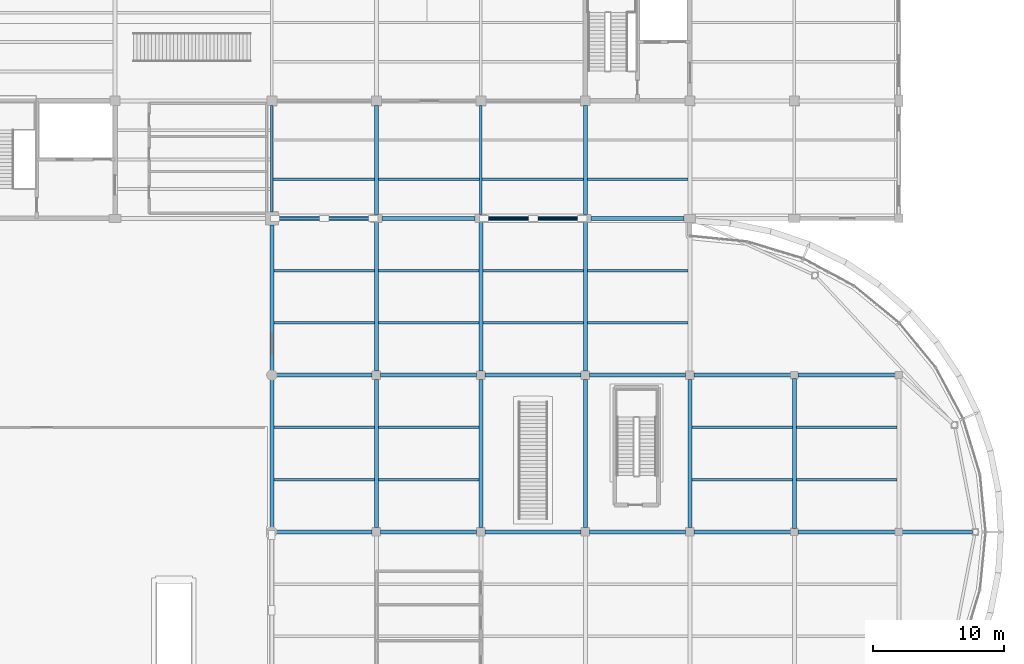
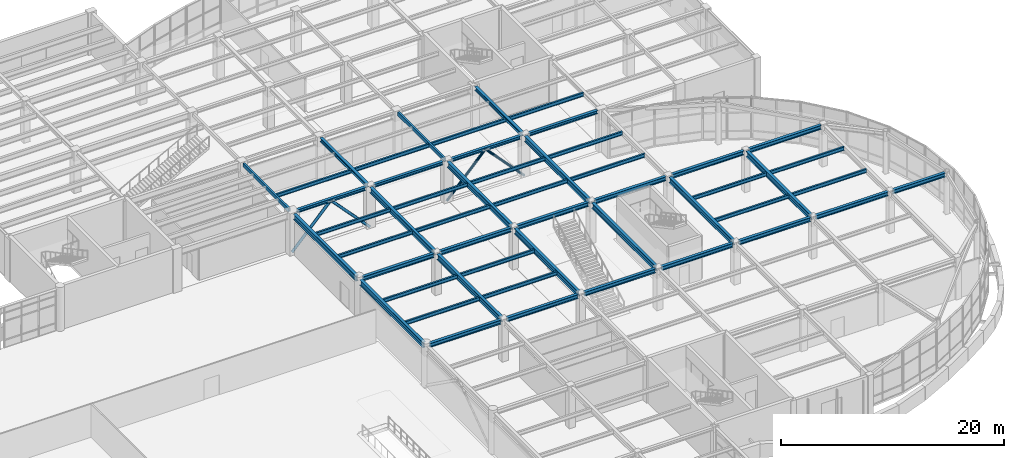
# One storey, part 30 of 72: 51 beams, 4 members.
"""IFC4 building model written with IfcOpenShell, lengths in metres."""

import ifcopenshell
import ifcopenshell.guid

model = None  # the IFC model being written
_history = None  # IfcOwnerHistory: only IFC2X3 demands one
_inside = {}  # id of a spatial element -> (the spatial element, [elements in it])
_under = {}  # id of a project, library or spatial element -> (it, [spatial elements below it])
_declared = {}  # id of a project -> (the project, [libraries it declares])
_typed = {}  # id of a type object -> (the type object, [elements of that type])
_made_of = {}  # id of a material, layer set ... -> (it, [elements and type objects made of it])


def new_model(schema):
    """Start an empty IFC model of exactly this schema.

    Asked for "IFC4X3", IfcOpenShell would pick the latest addendum, in which some entities
    have other attributes; the version numbers below select the first issue.
    IFC2X3 requires an IfcOwnerHistory on every rooted entity: one is made here for all.
    """
    global model, _history
    if schema == "IFC4X3":
        model = ifcopenshell.file(schema_version=(4, 3, 0, 0))
    else:
        model = ifcopenshell.file(schema=schema)
    _inside.clear()
    _under.clear()
    _declared.clear()
    _typed.clear()
    _made_of.clear()
    _history = None
    if model.schema == "IFC2X3":
        org = make("IfcOrganization", Name="unknown")
        user = make(
            "IfcPersonAndOrganization",
            ThePerson=make("IfcPerson", FamilyName="unknown"),
            TheOrganization=org,
        )
        app = make(
            "IfcApplication",
            ApplicationDeveloper=org,
            Version="unknown",
            ApplicationFullName="unknown",
            ApplicationIdentifier="unknown",
        )
        _history = make(
            "IfcOwnerHistory",
            OwningUser=user,
            OwningApplication=app,
            ChangeAction="ADDED",
            CreationDate=0,
        )
    return model


def make(cls, **values):
    """One entity of the class cls with the attributes given. An attribute that is None is left unset."""
    return model.create_entity(
        cls, **{name: value for name, value in values.items() if value is not None}
    )


def rooted(cls, **values):
    """An entity with a GlobalId (a new one), such as an element, a storey or a relation."""
    return make(cls, GlobalId=ifcopenshell.guid.new(), OwnerHistory=_history, **values)


def si_unit(unit_type, name, prefix=None):
    """IfcSIUnit, for example si_unit("LENGTHUNIT", "METRE", prefix="MILLI")."""
    return make("IfcSIUnit", UnitType=unit_type, Prefix=prefix, Name=name)


def assignment(units):
    """IfcUnitAssignment: the units of a project."""
    return None if units is None else make("IfcUnitAssignment", Units=units)


def point(xyz):
    """IfcCartesianPoint."""
    return None if xyz is None else make("IfcCartesianPoint", Coordinates=xyz)


def direction(xyz):
    """IfcDirection."""
    return None if xyz is None else make("IfcDirection", DirectionRatios=xyz)


def frame(location, z_axis=None, x_axis=None):
    """IfcAxis2Placement3D, a coordinate frame: its origin and axes. An axis left out is left unset."""
    return make(
        "IfcAxis2Placement3D",
        Location=point(location),
        Axis=direction(z_axis),
        RefDirection=direction(x_axis),
    )


def frame_2d(location, x_axis=None):
    """IfcAxis2Placement2D, a coordinate frame in the plane: its origin and x axis."""
    return make(
        "IfcAxis2Placement2D", Location=point(location), RefDirection=direction(x_axis)
    )


def origin():
    """The frame at (0, 0, 0) with its axes left unset."""
    return frame((0.0, 0.0, 0.0))


def origin_2d():
    """The frame at (0, 0) in the plane with its x axis left unset."""
    return frame_2d((0.0, 0.0))


def place(relative_to, where):
    """IfcLocalPlacement: puts the frame where relative to a parent placement (None: the world)."""
    return make(
        "IfcLocalPlacement", PlacementRelTo=relative_to, RelativePlacement=where
    )


def context(
    kind, dimensions, precision=None, world=None, true_north=None, identifier=None
):
    """IfcGeometricRepresentationContext, for example the 3D "Model" context."""
    return make(
        "IfcGeometricRepresentationContext",
        ContextIdentifier=identifier,
        ContextType=kind,
        CoordinateSpaceDimension=dimensions,
        Precision=precision,
        WorldCoordinateSystem=world,
        TrueNorth=true_north,
    )


def subcontext(parent, identifier, kind, view, scale=None):
    """IfcGeometricRepresentationSubContext, for example "Body" below "Model"."""
    return make(
        "IfcGeometricRepresentationSubContext",
        ContextIdentifier=identifier,
        ContextType=kind,
        ParentContext=parent,
        TargetScale=scale,
        TargetView=view,
    )


def project(units=None, contexts=None):
    """IfcProject with its units and contexts."""
    return rooted(
        "IfcProject",
        Name="project",
        RepresentationContexts=contexts,
        UnitsInContext=assignment(units),
    )


def spatial(cls, under=None, at=None, **own):
    """A site, building, storey or space (cls), placed at a placement, below another one or the project."""
    s = rooted(cls, ObjectPlacement=at, **own)
    if under is not None:
        _under.setdefault(under.id(), (under, []))[1].append(s)
    return s


def profile(cls, at=None, kind="AREA", **sizes):
    """A parametric profile (cls). Its sizes go by their IFC names, for example OverallWidth=200.0."""
    return make(cls, ProfileType=kind, Position=at, **sizes)


def hollow_rectangle(**sizes):
    """IfcRectangleHollowProfileDef."""
    return profile("IfcRectangleHollowProfileDef", **sizes)


def hollow_circle(**sizes):
    """IfcCircleHollowProfileDef."""
    return profile("IfcCircleHollowProfileDef", **sizes)


def i_section(**sizes):
    """IfcIShapeProfileDef."""
    return profile("IfcIShapeProfileDef", **sizes)


def extrude(swept, where, along, depth):
    """IfcExtrudedAreaSolid: the profile swept, set in the frame where, extruded along a direction by depth."""
    return make(
        "IfcExtrudedAreaSolid",
        SweptArea=swept,
        Position=where,
        ExtrudedDirection=direction(along),
        Depth=depth,
    )


def shape(context_of_items, identifier, shape_type, items):
    """IfcShapeRepresentation: the items that make up one representation, for example the "Body"."""
    return make(
        "IfcShapeRepresentation",
        ContextOfItems=context_of_items,
        RepresentationIdentifier=identifier,
        RepresentationType=shape_type,
        Items=items,
    )


def material(Name=None, Category=None):
    """IfcMaterial."""
    return make("IfcMaterial", Name=Name, Category=Category)


def material_profile(
    of_material, cross_section, Name=None, Category=None, Priority=None
):
    """IfcMaterialProfile: a cross section and its material."""
    return make(
        "IfcMaterialProfile",
        Name=Name,
        Material=of_material,
        Profile=cross_section,
        Priority=Priority,
        Category=Category,
    )


def profile_set(profiles, Name=None, composite=None):
    """IfcMaterialProfileSet."""
    return make(
        "IfcMaterialProfileSet",
        Name=Name,
        MaterialProfiles=profiles,
        CompositeProfile=composite,
    )


def made_of(thing, what):
    """Note that an element or type object is made of a material, layer set ...; save() writes the relation."""
    if what is not None:
        _made_of.setdefault(what.id(), (what, []))[1].append(thing)
    return thing


def type_object(cls, material=None, **own):
    """A type object (cls), such as IfcWallType, which elements share."""
    return made_of(rooted(cls, **own), material)


def element(
    cls,
    number,
    at=None,
    inside=None,
    cuts=None,
    type_object=None,
    material=None,
    context=None,
    identifier="Body",
    shape_type=None,
    held_by="IfcProductDefinitionShape",
    body=None,
    shapes=None,
    **own,
):
    """One element of the class cls, such as IfcWall. Its Tag is "e" and its number.

    at: its placement. inside: the storey or other place that contains it. cuts: it is an
    opening in that element (IfcRelVoidsElement). A single representation is given by context,
    identifier, shape_type and body (its items); several are given by shapes. held_by: the class
    of the entity that holds the representations. save() writes the other relations.
    """
    e = rooted(cls, Tag="e%d" % number, ObjectPlacement=at, **own)
    if body is not None:
        shapes = [shape(context, identifier, shape_type, body)]
    if shapes is not None:
        e.Representation = make(held_by, Representations=shapes)
    if inside is not None:
        _inside.setdefault(inside.id(), (inside, []))[1].append(e)
    if cuts is not None:
        rooted(
            "IfcRelVoidsElement", RelatingBuildingElement=cuts, RelatedOpeningElement=e
        )
    if type_object is not None:
        _typed.setdefault(type_object.id(), (type_object, []))[1].append(e)
    return made_of(e, material)


def aggregate(whole, parts):
    """IfcRelAggregates: a whole, such as a stair, and the parts it consists of."""
    return rooted("IfcRelAggregates", RelatingObject=whole, RelatedObjects=parts)


def save(model, path):
    """Write the relations noted so far, then the file.

    IfcRelAggregates (storeys below a building ...), IfcRelContainedInSpatialStructure (elements
    in a storey), IfcRelDefinesByType, IfcRelAssociatesMaterial and IfcRelDeclares: one each for
    every whole, place, type object, material and project.
    """
    for whole, parts in _under.values():
        aggregate(whole, parts)
    for where, things in _inside.values():
        rooted(
            "IfcRelContainedInSpatialStructure",
            RelatedElements=things,
            RelatingStructure=where,
        )
    for kind, things in _typed.values():
        rooted("IfcRelDefinesByType", RelatedObjects=things, RelatingType=kind)
    for what, things in _made_of.values():
        rooted("IfcRelAssociatesMaterial", RelatedObjects=things, RelatingMaterial=what)
    for by, libraries in _declared.values():
        rooted("IfcRelDeclares", RelatingContext=by, RelatedDefinitions=libraries)
    model.write(path)


model = new_model("IFC4")

# Units and contexts
model_context = context("Model", 3, precision=1e-05, world=origin(), true_north=direction((0.0, 1.0)))
body_context = subcontext(model_context, "Body", "Model", "MODEL_VIEW")
ifc_project = project(units=[si_unit("LENGTHUNIT", "METRE"), si_unit("AREAUNIT", "SQUARE_METRE"), si_unit("VOLUMEUNIT", "CUBIC_METRE"), si_unit("PLANEANGLEUNIT", "RADIAN"), si_unit("MASSUNIT", "GRAM", prefix="KILO")], contexts=[model_context])

# Site, building, storey
site_placement = place(None, origin())
site = spatial("IfcSite", under=ifc_project, at=site_placement, CompositionType="ELEMENT")
building_placement = place(site_placement, origin())
building = spatial("IfcBuilding", under=site, at=building_placement, Name="Keelwater Ferry Terminal", CompositionType="ELEMENT")
storey_placement = place(building_placement, frame((0.0, 0.0, 5.39990234375)))
storey = spatial("IfcBuildingStorey", under=building, at=storey_placement, Name="L01", CompositionType="ELEMENT", Elevation=5.39990234375)

# Members
ifc_material_1 = material(Name="Steel S355", Category="steel")
ifc_material_profile_1 = material_profile(ifc_material_1, hollow_circle(Radius=0.136474609375, WallThickness=0.012451171875, at=origin_2d()), Name="CHS 273x12.5")
ifc_profile_set_1 = profile_set([ifc_material_profile_1], Name="Steel S355")
member_type_1 = type_object("IfcMemberType", Name="BR2 CHS 273x12.5", PredefinedType="BRACE", material=ifc_profile_set_1)
for number, where, z_axis, x_axis, name in (
    (1, (132.0, 90.0, 0.0), (0.683655146647, 0.0, 0.729805207205), (0.0, 1.0, 0.0), "Structural Member MB-L01-0571"),
    (2, (140.0, 90.0, 0.0), (-0.683655146647, 0.0, 0.729805207205), (0.0, -1.0, 0.0), "Structural Member MB-L01-0572"),
):
    element("IfcMember", number, at=place(storey_placement, frame(where, z_axis=z_axis, x_axis=x_axis)), inside=storey, type_object=member_type_1, Name=name, PredefinedType="BRACE", context=body_context, shape_type="SweptSolid", body=[
        extrude(hollow_circle(Radius=0.136474609375, WallThickness=0.012451171875, at=origin_2d()), origin(), (0.0, 0.0, 1.0), 5.850830078125),
    ])
ifc_material_2 = material(Name="Steel S355", Category="steel")
ifc_material_profile_2 = material_profile(ifc_material_2, hollow_circle(Radius=0.122314453125, WallThickness=0.012451171875, at=origin_2d()), Name="CHS 244.5x12.5")
ifc_profile_set_2 = profile_set([ifc_material_profile_2], Name="Steel S355")
member_type_2 = type_object("IfcMemberType", Name="BR3 CHS 244.5x12.5", PredefinedType="BRACE", material=ifc_profile_set_2)
for number, where, z_axis, x_axis, name in (
    (3, (148.0, 90.0, 0.0), (0.683655146647, 0.0, 0.729805207205), (0.0, 1.0, 0.0), "Structural Member MB-L01-0565"),
    (4, (156.0, 90.0, 0.0), (-0.683655146647, 0.0, 0.729805207205), (0.0, -1.0, 0.0), "Structural Member MB-L01-0566"),
):
    element("IfcMember", number, at=place(storey_placement, frame(where, z_axis=z_axis, x_axis=x_axis)), inside=storey, type_object=member_type_2, Name=name, PredefinedType="BRACE", context=body_context, shape_type="SweptSolid", body=[
        extrude(hollow_circle(Radius=0.122314453125, WallThickness=0.012451171875, at=origin_2d()), origin(), (0.0, 0.0, 1.0), 5.850830078125),
    ])

# Beams
ifc_material_3 = material(Name="Steel S355", Category="steel")
ifc_material_profile_3 = material_profile(ifc_material_3, i_section(OverallWidth=0.300048828125, OverallDepth=0.60009765625, WebThickness=0.015380859375, FlangeThickness=0.030029296875, at=origin_2d()), Name="HEB 600")
ifc_profile_set_3 = profile_set([ifc_material_profile_3], Name="Steel S355")
beam_type_1 = type_object("IfcBeamType", Name="G3 HEB 600", PredefinedType="BEAM", material=ifc_profile_set_3)
beam_1_placement = place(storey_placement, frame((140.0, 66.318115234375, 4.22021484375), z_axis=(0.0, 1.0, 0.0), x_axis=(-1.0, 0.0, 0.0)))
element("IfcBeam", 5, at=beam_1_placement, inside=storey, type_object=beam_type_1, Name="Beam BM-L01-0769", PredefinedType="BEAM", context=body_context, shape_type="SweptSolid", body=[
    extrude(i_section(OverallWidth=0.300048828125, OverallDepth=0.60009765625, WebThickness=0.015380859375, FlangeThickness=0.030029296875, at=origin_2d()), origin(), (0.0, 0.0, 1.0), 11.36376953125),
])
beam_2_placement = place(storey_placement, frame((140.0, 78.318115234375, 4.22021484375), z_axis=(0.0, 1.0, 0.0), x_axis=(-1.0, 0.0, 0.0)))
element("IfcBeam", 6, at=beam_2_placement, inside=storey, type_object=beam_type_1, Name="Beam BM-L01-0770", PredefinedType="BEAM", context=body_context, shape_type="SweptSolid", body=[
    extrude(i_section(OverallWidth=0.300048828125, OverallDepth=0.60009765625, WebThickness=0.015380859375, FlangeThickness=0.030029296875, at=origin_2d()), origin(), (0.0, 0.0, 1.0), 11.387939453125),
])
beam_3_placement = place(storey_placement, frame((156.0, 66.318115234375, 4.22021484375), z_axis=(0.0, 1.0, 0.0), x_axis=(-1.0, 0.0, 0.0)))
element("IfcBeam", 7, at=beam_3_placement, inside=storey, type_object=beam_type_1, Name="Beam BM-L01-0787", PredefinedType="BEAM", context=body_context, shape_type="SweptSolid", body=[
    extrude(i_section(OverallWidth=0.300048828125, OverallDepth=0.60009765625, WebThickness=0.015380859375, FlangeThickness=0.030029296875, at=origin_2d()), origin(), (0.0, 0.0, 1.0), 11.36376953125),
])
beam_4_placement = place(storey_placement, frame((156.0, 78.318115234375, 4.22021484375), z_axis=(0.0, 1.0, 0.0), x_axis=(-1.0, 0.0, 0.0)))
element("IfcBeam", 8, at=beam_4_placement, inside=storey, type_object=beam_type_1, Name="Beam BM-L01-0788", PredefinedType="BEAM", context=body_context, shape_type="SweptSolid", body=[
    extrude(i_section(OverallWidth=0.300048828125, OverallDepth=0.60009765625, WebThickness=0.015380859375, FlangeThickness=0.030029296875, at=origin_2d()), origin(), (0.0, 0.0, 1.0), 11.387939453125),
])
beam_5_placement = place(storey_placement, frame((164.0, 66.318115234375, 4.22021484375), z_axis=(0.0, 1.0, 0.0), x_axis=(-1.0, 0.0, 0.0)))
element("IfcBeam", 9, at=beam_5_placement, inside=storey, type_object=beam_type_1, Name="Beam BM-L01-0794", PredefinedType="BEAM", context=body_context, shape_type="SweptSolid", body=[
    extrude(i_section(OverallWidth=0.300048828125, OverallDepth=0.60009765625, WebThickness=0.015380859375, FlangeThickness=0.030029296875, at=origin_2d()), origin(), (0.0, 0.0, 1.0), 11.36376953125),
])
ifc_material_4 = material(Name="Steel S355", Category="steel")
ifc_material_profile_4 = material_profile(ifc_material_4, i_section(OverallWidth=0.300048828125, OverallDepth=0.60009765625, WebThickness=0.015380859375, FlangeThickness=0.030029296875, at=origin_2d()), Name="HEB 600")
ifc_profile_set_4 = profile_set([ifc_material_profile_4], Name="Steel S355")
beam_type_2 = type_object("IfcBeamType", Name="G3E HEB 600", PredefinedType="BEAM", material=ifc_profile_set_4)
beam_6_placement = place(storey_placement, frame((132.0, 66.327880859375, 4.22021484375), z_axis=(0.0, 1.0, 0.0), x_axis=(-1.0, 0.0, 0.0)))
element("IfcBeam", 10, at=beam_6_placement, inside=storey, type_object=beam_type_2, Name="Beam BM-L01-0757", PredefinedType="BEAM", context=body_context, shape_type="SweptSolid", body=[
    extrude(i_section(OverallWidth=0.300048828125, OverallDepth=0.60009765625, WebThickness=0.015380859375, FlangeThickness=0.030029296875, at=origin_2d()), origin(), (0.0, 0.0, 1.0), 11.34423828125),
])
beam_7_placement = place(storey_placement, frame((132.0, 78.327880859375, 4.22021484375), z_axis=(0.0, 1.0, 0.0), x_axis=(-1.0, 0.0, 0.0)))
element("IfcBeam", 11, at=beam_7_placement, inside=storey, type_object=beam_type_2, Name="Beam BM-L01-0758", PredefinedType="BEAM", context=body_context, shape_type="SweptSolid", body=[
    extrude(i_section(OverallWidth=0.300048828125, OverallDepth=0.60009765625, WebThickness=0.015380859375, FlangeThickness=0.030029296875, at=origin_2d()), origin(), (0.0, 0.0, 1.0), 11.18212890625),
])
beam_8_placement = place(storey_placement, frame((148.0, 66.318115234375, 4.22021484375), z_axis=(0.0, 1.0, 0.0), x_axis=(-1.0, 0.0, 0.0)))
element("IfcBeam", 12, at=beam_8_placement, inside=storey, type_object=beam_type_2, Name="Beam BM-L01-0780", PredefinedType="BEAM", context=body_context, shape_type="SweptSolid", body=[
    extrude(i_section(OverallWidth=0.300048828125, OverallDepth=0.60009765625, WebThickness=0.015380859375, FlangeThickness=0.030029296875, at=origin_2d()), origin(), (0.0, 0.0, 1.0), 11.36376953125),
])
beam_9_placement = place(storey_placement, frame((148.0, 78.318115234375, 4.22021484375), z_axis=(0.0, 1.0, 0.0), x_axis=(-1.0, 0.0, 0.0)))
element("IfcBeam", 13, at=beam_9_placement, inside=storey, type_object=beam_type_2, Name="Beam BM-L01-0781", PredefinedType="BEAM", context=body_context, shape_type="SweptSolid", body=[
    extrude(i_section(OverallWidth=0.300048828125, OverallDepth=0.60009765625, WebThickness=0.015380859375, FlangeThickness=0.030029296875, at=origin_2d()), origin(), (0.0, 0.0, 1.0), 11.387939453125),
])
beam_10_placement = place(storey_placement, frame((172.0, 66.27001953125, 4.22021484375), z_axis=(0.0, 1.0, 0.0), x_axis=(-1.0, 0.0, 0.0)))
element("IfcBeam", 14, at=beam_10_placement, inside=storey, type_object=beam_type_2, Name="Beam BM-L01-0800", PredefinedType="BEAM", context=body_context, shape_type="SweptSolid", body=[
    extrude(i_section(OverallWidth=0.300048828125, OverallDepth=0.60009765625, WebThickness=0.015380859375, FlangeThickness=0.030029296875, at=origin_2d()), origin(), (0.0, 0.0, 1.0), 11.4599609375),
])
ifc_material_5 = material(Name="Steel S355", Category="steel")
ifc_material_profile_5 = material_profile(ifc_material_5, i_section(OverallWidth=0.300048828125, OverallDepth=0.449951171875, WebThickness=0.013916015625, FlangeThickness=0.02587890625, at=origin_2d()), Name="HEB 450")
ifc_profile_set_5 = profile_set([ifc_material_profile_5], Name="Steel S355")
beam_type_3 = type_object("IfcBeamType", Name="G6 HEB 450", PredefinedType="BEAM", material=ifc_profile_set_5)
beam_11_placement = place(storey_placement, frame((132.327880859375, 66.0, 4.295166015625), z_axis=(1.0, 0.0, 0.0), x_axis=(0.0, 1.0, 0.0)))
element("IfcBeam", 15, at=beam_11_placement, inside=storey, type_object=beam_type_3, Name="Beam BM-L01-0651", PredefinedType="BEAM", context=body_context, shape_type="SweptSolid", body=[
    extrude(i_section(OverallWidth=0.300048828125, OverallDepth=0.449951171875, WebThickness=0.013916015625, FlangeThickness=0.02587890625, at=origin_2d()), origin(), (0.0, 0.0, 1.0), 7.35400390625),
])
for number, where, z_axis, x_axis, name in (
    (16, (140.318115234375, 66.0, 4.295166015625), (1.0, 0.0, 0.0), (0.0, 1.0, 0.0), "Beam BM-L01-0652"),
    (17, (148.318115234375, 66.0, 4.295166015625), (1.0, 0.0, 0.0), (0.0, 1.0, 0.0), "Beam BM-L01-0653"),
    (18, (156.318115234375, 66.0, 4.295166015625), (1.0, 0.0, 0.0), (0.0, 1.0, 0.0), "Beam BM-L01-0654"),
):
    element("IfcBeam", number, at=place(storey_placement, frame(where, z_axis=z_axis, x_axis=x_axis)), inside=storey, type_object=beam_type_3, Name=name, PredefinedType="BEAM", context=body_context, shape_type="SweptSolid", body=[
        extrude(i_section(OverallWidth=0.300048828125, OverallDepth=0.449951171875, WebThickness=0.013916015625, FlangeThickness=0.02587890625, at=origin_2d()), origin(), (0.0, 0.0, 1.0), 7.36376953125),
    ])
beam_12_placement = place(storey_placement, frame((164.318115234375, 66.0, 4.295166015625), z_axis=(1.0, 0.0, 0.0), x_axis=(0.0, 1.0, 0.0)))
element("IfcBeam", 19, at=beam_12_placement, inside=storey, type_object=beam_type_3, Name="Beam BM-L01-0655", PredefinedType="BEAM", context=body_context, shape_type="SweptSolid", body=[
    extrude(i_section(OverallWidth=0.300048828125, OverallDepth=0.449951171875, WebThickness=0.013916015625, FlangeThickness=0.02587890625, at=origin_2d()), origin(), (0.0, 0.0, 1.0), 7.411865234375),
])
beam_13_placement = place(storey_placement, frame((172.27001953125, 66.0, 4.295166015625), z_axis=(1.0, 0.0, 0.0), x_axis=(0.0, 1.0, 0.0)))
element("IfcBeam", 20, at=beam_13_placement, inside=storey, type_object=beam_type_3, Name="Beam BM-L01-0656", PredefinedType="BEAM", context=body_context, shape_type="SweptSolid", body=[
    extrude(i_section(OverallWidth=0.300048828125, OverallDepth=0.449951171875, WebThickness=0.013916015625, FlangeThickness=0.02587890625, at=origin_2d()), origin(), (0.0, 0.0, 1.0), 7.4599609375),
])
beam_14_placement = place(storey_placement, frame((132.327880859375, 78.0, 4.295166015625), z_axis=(1.0, 0.0, 0.0), x_axis=(0.0, 1.0, 0.0)))
element("IfcBeam", 21, at=beam_14_placement, inside=storey, type_object=beam_type_3, Name="Beam BM-L01-0662", PredefinedType="BEAM", context=body_context, shape_type="SweptSolid", body=[
    extrude(i_section(OverallWidth=0.300048828125, OverallDepth=0.449951171875, WebThickness=0.013916015625, FlangeThickness=0.02587890625, at=origin_2d()), origin(), (0.0, 0.0, 1.0), 7.35400390625),
])
for number, where, z_axis, x_axis, name in (
    (22, (140.318115234375, 78.0, 4.295166015625), (1.0, 0.0, 0.0), (0.0, 1.0, 0.0), "Beam BM-L01-0663"),
    (23, (148.318115234375, 78.0, 4.295166015625), (1.0, 0.0, 0.0), (0.0, 1.0, 0.0), "Beam BM-L01-0664"),
    (24, (156.318115234375, 78.0, 4.295166015625), (1.0, 0.0, 0.0), (0.0, 1.0, 0.0), "Beam BM-L01-0665"),
):
    element("IfcBeam", number, at=place(storey_placement, frame(where, z_axis=z_axis, x_axis=x_axis)), inside=storey, type_object=beam_type_3, Name=name, PredefinedType="BEAM", context=body_context, shape_type="SweptSolid", body=[
        extrude(i_section(OverallWidth=0.300048828125, OverallDepth=0.449951171875, WebThickness=0.013916015625, FlangeThickness=0.02587890625, at=origin_2d()), origin(), (0.0, 0.0, 1.0), 7.36376953125),
    ])
beam_15_placement = place(storey_placement, frame((164.318115234375, 78.0, 4.295166015625), z_axis=(1.0, 0.0, 0.0), x_axis=(0.0, 1.0, 0.0)))
element("IfcBeam", 25, at=beam_15_placement, inside=storey, type_object=beam_type_3, Name="Beam BM-L01-0666", PredefinedType="BEAM", context=body_context, shape_type="SweptSolid", body=[
    extrude(i_section(OverallWidth=0.300048828125, OverallDepth=0.449951171875, WebThickness=0.013916015625, FlangeThickness=0.02587890625, at=origin_2d()), origin(), (0.0, 0.0, 1.0), 7.411865234375),
])
beam_16_placement = place(storey_placement, frame((172.27001953125, 78.0, 4.295166015625), z_axis=(1.0, 0.0, 0.0), x_axis=(0.0, 1.0, 0.0)))
element("IfcBeam", 26, at=beam_16_placement, inside=storey, type_object=beam_type_3, Name="Beam BM-L01-0667", PredefinedType="BEAM", context=body_context, shape_type="SweptSolid", body=[
    extrude(i_section(OverallWidth=0.300048828125, OverallDepth=0.449951171875, WebThickness=0.013916015625, FlangeThickness=0.02587890625, at=origin_2d()), origin(), (0.0, 0.0, 1.0), 7.4599609375),
])
beam_17_placement = place(storey_placement, frame((185.659912109375, 66.0, 4.295166015625), z_axis=(-1.0, 0.0, 0.0), x_axis=(0.0, -1.0, 0.0)))
element("IfcBeam", 27, at=beam_17_placement, inside=storey, type_object=beam_type_3, Name="Beam BM-L01-0979", PredefinedType="BEAM", context=body_context, shape_type="SweptSolid", body=[
    extrude(i_section(OverallWidth=0.300048828125, OverallDepth=0.449951171875, WebThickness=0.013916015625, FlangeThickness=0.02587890625, at=origin_2d()), origin(), (0.0, 0.0, 1.0), 5.419921875),
])
ifc_material_6 = material(Name="Steel S355", Category="steel")
ifc_material_profile_6 = material_profile(ifc_material_6, i_section(OverallWidth=0.300048828125, OverallDepth=0.39990234375, WebThickness=0.013427734375, FlangeThickness=0.02392578125, at=origin_2d()), Name="HEB 400")
ifc_profile_set_6 = profile_set([ifc_material_profile_6], Name="Steel S355")
beam_type_4 = type_object("IfcBeamType", Name="G7 HEB 400", PredefinedType="BEAM", material=ifc_profile_set_6)
for number, where, z_axis, x_axis, name in (
    (28, (140.0, 90.2939453125, 4.320068359375), (0.0, 1.0, 0.0), (-1.0, 0.0, 0.0), "Beam BM-L01-0771"),
    (29, (156.0, 90.2939453125, 4.320068359375), (0.0, 1.0, 0.0), (-1.0, 0.0, 0.0), "Beam BM-L01-0789"),
):
    element("IfcBeam", number, at=place(storey_placement, frame(where, z_axis=z_axis, x_axis=x_axis)), inside=storey, type_object=beam_type_4, Name=name, PredefinedType="BEAM", context=body_context, shape_type="SweptSolid", body=[
        extrude(i_section(OverallWidth=0.300048828125, OverallDepth=0.39990234375, WebThickness=0.013427734375, FlangeThickness=0.02392578125, at=origin_2d()), origin(), (0.0, 0.0, 1.0), 8.338134765625),
    ])
ifc_material_7 = material(Name="Steel S355", Category="steel")
ifc_material_profile_7 = material_profile(ifc_material_7, i_section(OverallWidth=0.179931640625, OverallDepth=0.39990234375, WebThickness=0.008544921875, FlangeThickness=0.013427734375, at=origin_2d()), Name="IPE 400")
ifc_profile_set_7 = profile_set([ifc_material_profile_7], Name="Steel S355")
beam_type_5 = type_object("IfcBeamType", Name="J5 IPE 400", PredefinedType="JOIST", material=ifc_profile_set_7)
for number, where, z_axis, x_axis, name in (
    (30, (132.14990234375, 70.0, 4.320068359375), (1.0, 0.0, 0.0), (0.0, 1.0, 0.0), "Beam BM-L01-0884"),
    (31, (132.14990234375, 74.0, 4.320068359375), (1.0, 0.0, 0.0), (0.0, 1.0, 0.0), "Beam BM-L01-0885"),
    (32, (132.14990234375, 82.0, 4.320068359375), (1.0, 0.0, 0.0), (0.0, 1.0, 0.0), "Beam BM-L01-0886"),
    (33, (132.14990234375, 86.0, 4.320068359375), (1.0, 0.0, 0.0), (0.0, 1.0, 0.0), "Beam BM-L01-0887"),
):
    element("IfcBeam", number, at=place(storey_placement, frame(where, z_axis=z_axis, x_axis=x_axis)), inside=storey, type_object=beam_type_5, Name=name, PredefinedType="JOIST", context=body_context, shape_type="SweptSolid", body=[
        extrude(i_section(OverallWidth=0.179931640625, OverallDepth=0.39990234375, WebThickness=0.008544921875, FlangeThickness=0.013427734375, at=origin_2d()), origin(), (0.0, 0.0, 1.0), 7.7001953125),
    ])
beam_18_placement = place(storey_placement, frame((132.10009765625, 93.0, 4.320068359375), z_axis=(1.0, 0.0, 0.0), x_axis=(0.0, 1.0, 0.0)))
element("IfcBeam", 34, at=beam_18_placement, inside=storey, type_object=beam_type_5, Name="Beam BM-L01-0888", PredefinedType="JOIST", context=body_context, shape_type="SweptSolid", body=[
    extrude(i_section(OverallWidth=0.179931640625, OverallDepth=0.39990234375, WebThickness=0.008544921875, FlangeThickness=0.013427734375, at=origin_2d()), origin(), (0.0, 0.0, 1.0), 7.75),
])
for number, where, z_axis, x_axis, name in (
    (35, (140.14990234375, 70.0, 4.320068359375), (1.0, 0.0, 0.0), (0.0, 1.0, 0.0), "Beam BM-L01-0904"),
    (36, (140.14990234375, 74.0, 4.320068359375), (1.0, 0.0, 0.0), (0.0, 1.0, 0.0), "Beam BM-L01-0905"),
    (37, (140.14990234375, 82.0, 4.320068359375), (1.0, 0.0, 0.0), (0.0, 1.0, 0.0), "Beam BM-L01-0906"),
    (38, (140.14990234375, 86.0, 4.320068359375), (1.0, 0.0, 0.0), (0.0, 1.0, 0.0), "Beam BM-L01-0907"),
):
    element("IfcBeam", number, at=place(storey_placement, frame(where, z_axis=z_axis, x_axis=x_axis)), inside=storey, type_object=beam_type_5, Name=name, PredefinedType="JOIST", context=body_context, shape_type="SweptSolid", body=[
        extrude(i_section(OverallWidth=0.179931640625, OverallDepth=0.39990234375, WebThickness=0.008544921875, FlangeThickness=0.013427734375, at=origin_2d()), origin(), (0.0, 0.0, 1.0), 7.7001953125),
    ])
beam_19_placement = place(storey_placement, frame((140.14990234375, 93.0, 4.320068359375), z_axis=(1.0, 0.0, 0.0), x_axis=(0.0, 1.0, 0.0)))
element("IfcBeam", 39, at=beam_19_placement, inside=storey, type_object=beam_type_5, Name="Beam BM-L01-0908", PredefinedType="JOIST", context=body_context, shape_type="SweptSolid", body=[
    extrude(i_section(OverallWidth=0.179931640625, OverallDepth=0.39990234375, WebThickness=0.008544921875, FlangeThickness=0.013427734375, at=origin_2d()), origin(), (0.0, 0.0, 1.0), 7.75),
])
for number, where, z_axis, x_axis, name in (
    (40, (148.14990234375, 82.0, 4.320068359375), (1.0, 0.0, 0.0), (0.0, 1.0, 0.0), "Beam BM-L01-0916"),
    (41, (148.14990234375, 86.0, 4.320068359375), (1.0, 0.0, 0.0), (0.0, 1.0, 0.0), "Beam BM-L01-0917"),
):
    element("IfcBeam", number, at=place(storey_placement, frame(where, z_axis=z_axis, x_axis=x_axis)), inside=storey, type_object=beam_type_5, Name=name, PredefinedType="JOIST", context=body_context, shape_type="SweptSolid", body=[
        extrude(i_section(OverallWidth=0.179931640625, OverallDepth=0.39990234375, WebThickness=0.008544921875, FlangeThickness=0.013427734375, at=origin_2d()), origin(), (0.0, 0.0, 1.0), 7.7001953125),
    ])
beam_20_placement = place(storey_placement, frame((148.10009765625, 93.0, 4.320068359375), z_axis=(1.0, 0.0, 0.0), x_axis=(0.0, 1.0, 0.0)))
element("IfcBeam", 42, at=beam_20_placement, inside=storey, type_object=beam_type_5, Name="Beam BM-L01-0918", PredefinedType="JOIST", context=body_context, shape_type="SweptSolid", body=[
    extrude(i_section(OverallWidth=0.179931640625, OverallDepth=0.39990234375, WebThickness=0.008544921875, FlangeThickness=0.013427734375, at=origin_2d()), origin(), (0.0, 0.0, 1.0), 7.75),
])
for number, where, z_axis, x_axis, name in (
    (43, (156.14990234375, 82.0, 4.320068359375), (1.0, 0.0, 0.0), (0.0, 1.0, 0.0), "Beam BM-L01-0928"),
    (44, (156.14990234375, 86.0, 4.320068359375), (1.0, 0.0, 0.0), (0.0, 1.0, 0.0), "Beam BM-L01-0929"),
    (45, (156.14990234375, 93.0, 4.320068359375), (1.0, 0.0, 0.0), (0.0, 1.0, 0.0), "Beam BM-L01-0930"),
    (46, (164.14990234375, 70.0, 4.320068359375), (1.0, 0.0, 0.0), (0.0, 1.0, 0.0), "Beam BM-L01-0936"),
    (47, (164.14990234375, 74.0, 4.320068359375), (1.0, 0.0, 0.0), (0.0, 1.0, 0.0), "Beam BM-L01-0937"),
    (48, (172.14990234375, 70.0, 4.320068359375), (1.0, 0.0, 0.0), (0.0, 1.0, 0.0), "Beam BM-L01-0946"),
    (49, (172.14990234375, 74.0, 4.320068359375), (1.0, 0.0, 0.0), (0.0, 1.0, 0.0), "Beam BM-L01-0947"),
):
    element("IfcBeam", number, at=place(storey_placement, frame(where, z_axis=z_axis, x_axis=x_axis)), inside=storey, type_object=beam_type_5, Name=name, PredefinedType="JOIST", context=body_context, shape_type="SweptSolid", body=[
        extrude(i_section(OverallWidth=0.179931640625, OverallDepth=0.39990234375, WebThickness=0.008544921875, FlangeThickness=0.013427734375, at=origin_2d()), origin(), (0.0, 0.0, 1.0), 7.7001953125),
    ])
ifc_material_8 = material(Name="Steel S355", Category="steel")
ifc_material_profile_8 = material_profile(ifc_material_8, i_section(OverallWidth=0.300048828125, OverallDepth=0.35009765625, WebThickness=0.010009765625, FlangeThickness=0.017578125, at=origin_2d()), Name="HEA 360")
ifc_profile_set_8 = profile_set([ifc_material_profile_8], Name="Steel S355")
beam_type_6 = type_object("IfcBeamType", Name="SP1E HEA 360", PredefinedType="SPANDREL", material=ifc_profile_set_8)
beam_21_placement = place(storey_placement, frame((132.489990234375, 90.0, 4.34521484375), z_axis=(1.0, 0.0, 0.0), x_axis=(0.0, 1.0, 0.0)))
element("IfcBeam", 50, at=beam_21_placement, inside=storey, type_object=beam_type_6, Name="Beam BM-L01-0678", PredefinedType="SPANDREL", context=body_context, shape_type="SweptSolid", body=[
    extrude(i_section(OverallWidth=0.300048828125, OverallDepth=0.35009765625, WebThickness=0.010009765625, FlangeThickness=0.017578125, at=origin_2d()), origin(), (0.0, 0.0, 1.0), 7.069091796875),
])
for number, where, z_axis, x_axis, name in (
    (51, (140.44091796875, 90.0, 4.34521484375), (1.0, 0.0, 0.0), (0.0, 1.0, 0.0), "Beam BM-L01-0679"),
    (52, (148.44091796875, 90.0, 4.34521484375), (1.0, 0.0, 0.0), (0.0, 1.0, 0.0), "Beam BM-L01-0680"),
    (53, (156.44091796875, 90.0, 4.34521484375), (1.0, 0.0, 0.0), (0.0, 1.0, 0.0), "Beam BM-L01-0681"),
):
    element("IfcBeam", number, at=place(storey_placement, frame(where, z_axis=z_axis, x_axis=x_axis)), inside=storey, type_object=beam_type_6, Name=name, PredefinedType="SPANDREL", context=body_context, shape_type="SweptSolid", body=[
        extrude(i_section(OverallWidth=0.300048828125, OverallDepth=0.35009765625, WebThickness=0.010009765625, FlangeThickness=0.017578125, at=origin_2d()), origin(), (0.0, 0.0, 1.0), 7.1181640625),
    ])
ifc_material_9 = material(Name="Steel S355", Category="steel")
ifc_material_profile_9 = material_profile(ifc_material_9, hollow_rectangle(XDim=0.199951171875, YDim=0.39990234375, WallThickness=0.01611328125, at=origin_2d()), Name="RHS 400x200x16")
ifc_profile_set_9 = profile_set([ifc_material_profile_9], Name="Steel S355")
beam_type_7 = type_object("IfcBeamType", Name="SP3E RHS 400x200x16", PredefinedType="SPANDREL", material=ifc_profile_set_9)
beam_22_placement = place(storey_placement, frame((132.0, 90.489990234375, 4.320068359375), z_axis=(0.0, 1.0, 0.0), x_axis=(-1.0, 0.0, 0.0)))
element("IfcBeam", 54, at=beam_22_placement, inside=storey, type_object=beam_type_7, Name="Beam BM-L01-0759", PredefinedType="SPANDREL", context=body_context, shape_type="SweptSolid", body=[
    extrude(hollow_rectangle(XDim=0.199951171875, YDim=0.39990234375, WallThickness=0.01611328125, at=origin_2d()), origin(), (0.0, 0.0, 1.0), 8.14208984375),
])
beam_23_placement = place(storey_placement, frame((148.0, 90.2939453125, 4.320068359375), z_axis=(0.0, 1.0, 0.0), x_axis=(-1.0, 0.0, 0.0)))
element("IfcBeam", 55, at=beam_23_placement, inside=storey, type_object=beam_type_7, Name="Beam BM-L01-0782", PredefinedType="SPANDREL", context=body_context, shape_type="SweptSolid", body=[
    extrude(hollow_rectangle(XDim=0.199951171875, YDim=0.39990234375, WallThickness=0.01611328125, at=origin_2d()), origin(), (0.0, 0.0, 1.0), 8.338134765625),
])

save(model, "model.ifc")
